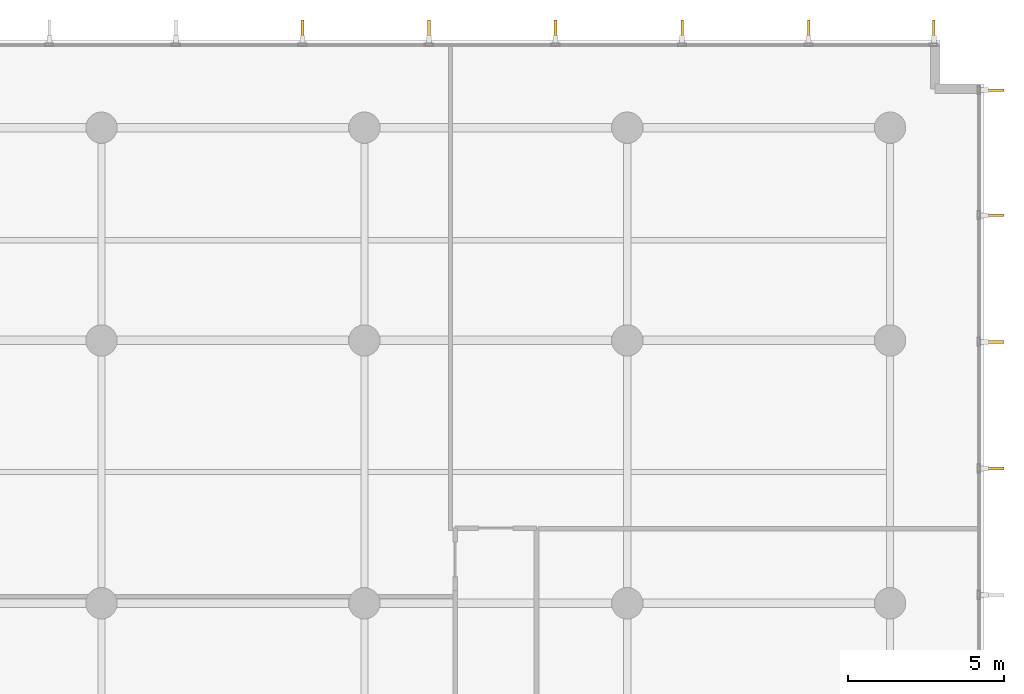
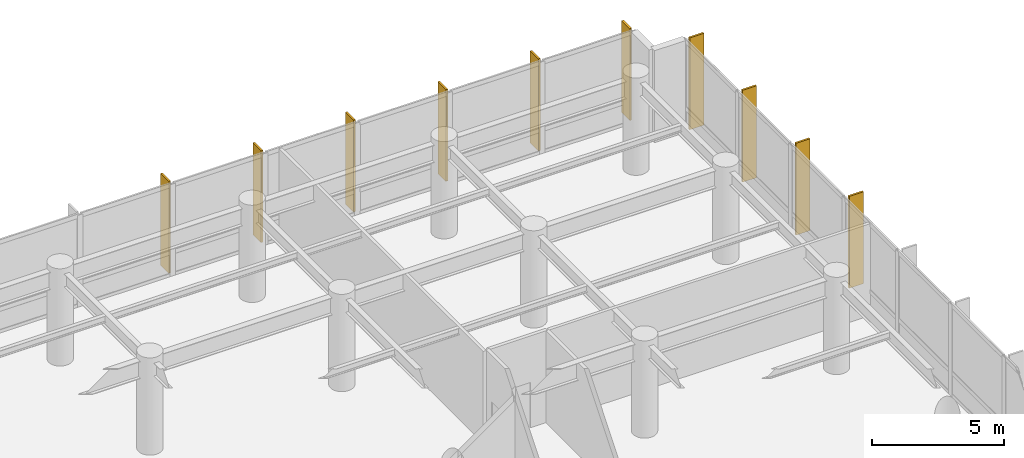
# One storey, part 26 of 26: 10 shading devices.
"""IFC4 building model written with IfcOpenShell, lengths in metres."""

from ifc_helpers import new_model, si_unit, direction, frame, origin, origin_2d, place, context, subcontext, project, spatial, rectangle, extrude, material, layer, layer_set, type_object, element, save


model = new_model("IFC4")

# Units and contexts
model_context = context("Model", 3, precision=1e-05, world=origin(), true_north=direction((0.0, 1.0)))
body_context = subcontext(model_context, "Body", "Model", "MODEL_VIEW")
ifc_project = project(units=[si_unit("LENGTHUNIT", "METRE"), si_unit("AREAUNIT", "SQUARE_METRE"), si_unit("VOLUMEUNIT", "CUBIC_METRE"), si_unit("PLANEANGLEUNIT", "RADIAN"), si_unit("MASSUNIT", "GRAM", prefix="KILO")], contexts=[model_context])

# Site, building, storey
site_placement = place(None, origin())
site = spatial("IfcSite", under=ifc_project, at=site_placement, CompositionType="ELEMENT")
building_placement = place(site_placement, origin())
building = spatial("IfcBuilding", under=site, at=building_placement, Name="Varnakote Quay Hospital", CompositionType="ELEMENT")
storey_placement = place(building_placement, frame((0.0, 0.0, 4.5)))
storey = spatial("IfcBuildingStorey", under=building, at=storey_placement, Name="L01", CompositionType="ELEMENT", Elevation=4.5)

# Shading devices
ifc_material = material(Name="Anodised aluminium 6063-T6 Bronze", Category="aluminium")
ifc_layer = layer(ifc_material, 0.0849609375)
ifc_layer_set = layer_set([ifc_layer], Name="Anodised aluminium 6063-T6 Bronze")
shading_device_type = type_object("IfcShadingDeviceType", Name="SHD-BRONZE-FIN-620", PredefinedType="USERDEFINED", material=ifc_layer_set)
for number, where, z_axis, x_axis, name in (
    (1, (87.330078125, 33.109130859375, 0.0), (0.0, 0.0, 1.0), (-1.0, 0.0, 0.0), "L01 Anodised Bronze Vertical Shading FIN"),
    (2, (87.330078125, 37.152587890625, 0.0), (0.0, 0.0, 1.0), (-1.0, 0.0, 0.0), "L01 Anodised Bronze Vertical Shading FIN"),
    (3, (87.330078125, 41.1962890625, 0.0), (0.0, 0.0, 1.0), (-1.0, 0.0, 0.0), "L01 Anodised Bronze Vertical Shading FIN"),
    (4, (87.330078125, 45.197509765625, 0.0), (0.0, 0.0, 1.0), (-1.0, 0.0, 0.0), "L01 Anodised Bronze Vertical Shading FIN"),
    (5, (85.3974609375, 47.1298828125, 0.0), (0.0, 0.0, 1.0), (0.0, -1.0, 0.0), "L01 Anodised Bronze Vertical Shading FIN"),
    (6, (81.396484375, 47.1298828125, 0.0), (0.0, 0.0, 1.0), (0.0, -1.0, 0.0), "L01 Anodised Bronze Vertical Shading FIN"),
    (7, (77.35302734375, 47.1298828125, 0.0), (0.0, 0.0, 1.0), (0.0, -1.0, 0.0), "L01 Anodised Bronze Vertical Shading FIN"),
    (8, (73.3095703125, 47.1298828125, 0.0), (0.0, 0.0, 1.0), (0.0, -1.0, 0.0), "L01 Anodised Bronze Vertical Shading FIN"),
    (9, (69.26611328125, 47.1298828125, 0.0), (0.0, 0.0, 1.0), (0.0, -1.0, 0.0), "L01 Anodised Bronze Vertical Shading FIN"),
    (10, (65.222412109375, 47.1298828125, 0.0), (0.0, 0.0, 1.0), (0.0, -1.0, 0.0), "L01 Anodised Bronze Vertical Shading FIN"),
):
    element("IfcShadingDevice", number, at=place(storey_placement, frame(where, z_axis=z_axis, x_axis=x_axis)), inside=storey, type_object=shading_device_type, Name=name, ObjectType="FIN", PredefinedType="USERDEFINED", context=body_context, shape_type="SweptSolid", body=[
        extrude(rectangle(XDim=0.6201171875, YDim=0.0849609375, at=origin_2d()), origin(), (0.0, 0.0, 1.0), 4.25),
    ])

save(model, "model.ifc")
